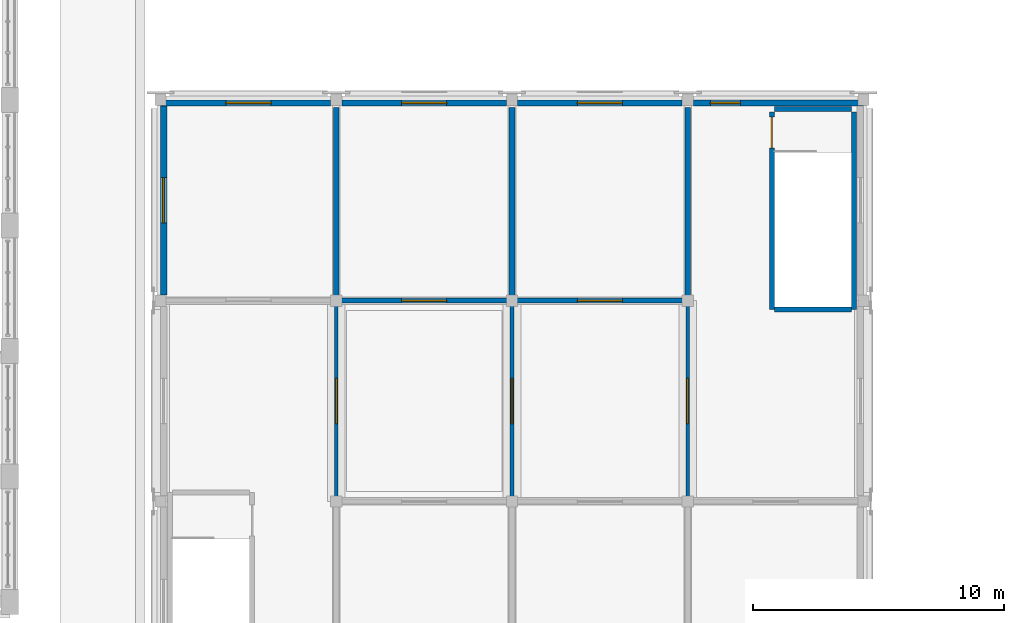
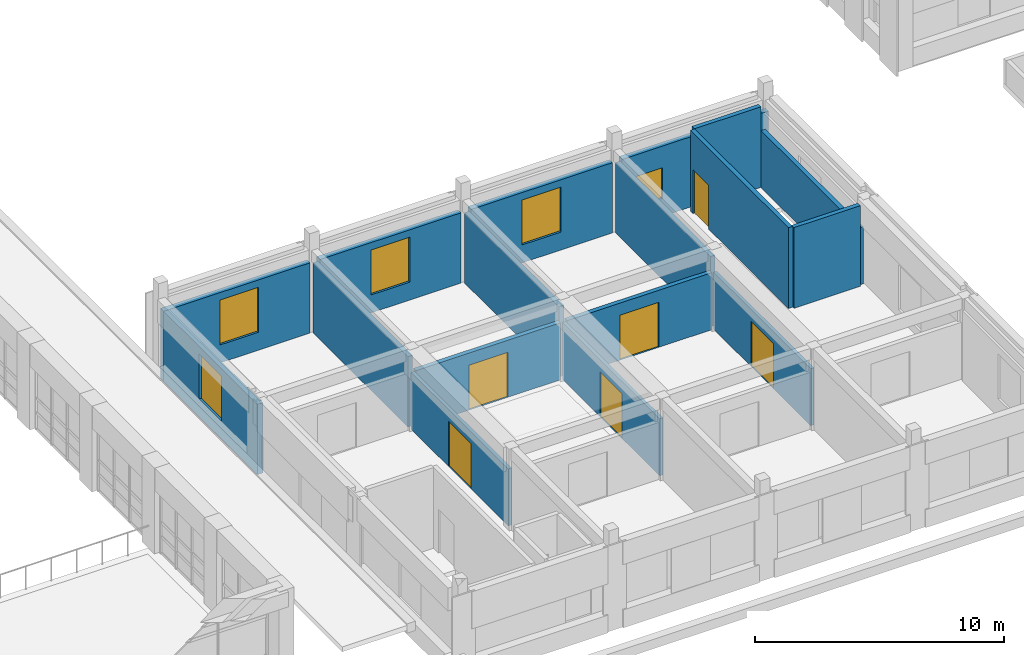
# One storey, part 64 of 97: 17 walls, 6 doors, 5 windows, 11 openings.
"""IFC4 building model written with IfcOpenShell, lengths in metres."""

from ifc_helpers import new_model, si_unit, direction, frame, frame_2d, origin, place, context, subcontext, project, spatial, rectangle, extrude, material, layer, layer_set, type_object, element, fill, save


model = new_model("IFC4")

# Units and contexts
model_context = context("Model", 3, precision=1e-05, world=origin(), true_north=direction((0.0, 1.0)))
body_context = subcontext(model_context, "Body", "Model", "MODEL_VIEW")
ifc_project = project(units=[si_unit("LENGTHUNIT", "METRE"), si_unit("AREAUNIT", "SQUARE_METRE"), si_unit("VOLUMEUNIT", "CUBIC_METRE"), si_unit("PLANEANGLEUNIT", "RADIAN"), si_unit("MASSUNIT", "GRAM", prefix="KILO")], contexts=[model_context])

# Site, building, storey
site_placement = place(None, origin())
site = spatial("IfcSite", under=ifc_project, at=site_placement, CompositionType="ELEMENT")
building_placement = place(site_placement, origin())
building = spatial("IfcBuilding", under=site, at=building_placement, Name="Kiranvali Square Residences", CompositionType="ELEMENT")
storey_placement = place(building_placement, frame((0.0, 0.0, 4.5)))
storey = spatial("IfcBuildingStorey", under=building, at=storey_placement, Name="L01", CompositionType="ELEMENT", Elevation=4.5)

# Wall, opening, door
ifc_material_1 = material(Name="Autoclaved aerated concrete blockwork masonry", Category="masonry")
ifc_layer_1 = layer(ifc_material_1, 0.199951171875)
ifc_layer_set_1 = layer_set([ifc_layer_1], Name="Autoclaved aerated concrete blockwork masonry")
wall_type_1 = type_object("IfcWallType", Name="WL-COR-200", PredefinedType="STANDARD", material=ifc_layer_set_1)
wall_1_placement = place(storey_placement, frame((109.14990234375, 56.0, 0.0), z_axis=(0.0, 0.0, 1.0), x_axis=(1.0, 0.0, 0.0)))
wall_1 = element("IfcWall", 1, at=wall_1_placement, inside=storey, type_object=wall_type_1, Name="L01 architectural wall WL-RT-L01-Y1-1", PredefinedType="STANDARD", context=body_context, shape_type="SweptSolid", body=[
    extrude(rectangle(XDim=6.7001953125, YDim=0.199951171875, at=frame_2d((3.35009765625, 0.0))), origin(), (0.0, 0.0, 1.0), 2.7919921875),
])
opening_1_placement = place(wall_1_placement, frame((2.449951171875, 0.0, 0.0)))
opening_1 = element("IfcOpeningElement", 2, at=opening_1_placement, cuts=wall_1, Name="Opening ED-GLZ-180", PredefinedType="OPENING", context=body_context, shape_type="SweptSolid", body=[
    extrude(rectangle(XDim=1.800048828125, YDim=2.199951171875, at=frame_2d((0.89990234375, 1.10009765625))), frame((0.0, 0.10986328125, 0.0), z_axis=(0.0, -1.0, 0.0), x_axis=(1.0, 0.0, 0.0)), (0.0, 0.0, 1.0), 0.219970703125),
])
ifc_material_2 = material(Name="Anodised bronze aluminium framing", Category="aluminium")
door_type_1 = type_object("IfcDoorType", Name="DR-GLZ-1800", OperationType="DOUBLE_DOOR_SINGLE_SWING", PredefinedType="DOOR", material=ifc_material_2)
door_1_placement = place(opening_1_placement, origin())
door_1 = element("IfcDoor", 3, at=door_1_placement, inside=storey, type_object=door_type_1, Name="L01 door DR-L01-2350 (DR-GLZ-1800)", OperationType="DOUBLE_DOOR_SINGLE_SWING", OverallHeight=2.199951171875, OverallWidth=1.800048828125, PredefinedType="DOOR", context=body_context, shape_type="SweptSolid", body=[
    extrude(rectangle(XDim=1.800048828125, YDim=2.199951171875, at=frame_2d((0.89990234375, 1.10009765625))), frame((0.0, 0.02490234375, 0.0), z_axis=(0.0, -1.0, 0.0), x_axis=(1.0, 0.0, 0.0)), (0.0, 0.0, 1.0), 0.050048828125),
])
fill(opening_1, door_1)

wall_2_placement = place(storey_placement, frame((116.14990234375, 56.0, 0.0), z_axis=(0.0, 0.0, 1.0), x_axis=(1.0, 0.0, 0.0)))
wall_2 = element("IfcWall", 4, at=wall_2_placement, inside=storey, type_object=wall_type_1, Name="L01 architectural wall WL-RT-L01-Y1-2", PredefinedType="STANDARD", context=body_context, shape_type="SweptSolid", body=[
    extrude(rectangle(XDim=6.7001953125, YDim=0.199951171875, at=frame_2d((3.35009765625, 0.0))), origin(), (0.0, 0.0, 1.0), 2.7919921875),
])
opening_2_placement = place(wall_2_placement, frame((2.449951171875, 0.0, 0.0)))
opening_2 = element("IfcOpeningElement", 5, at=opening_2_placement, cuts=wall_2, Name="Opening ED-GLZ-180", PredefinedType="OPENING", context=body_context, shape_type="SweptSolid", body=[
    extrude(rectangle(XDim=1.800048828125, YDim=2.199951171875, at=frame_2d((0.89990234375, 1.10009765625))), frame((0.0, 0.10986328125, 0.0), z_axis=(0.0, -1.0, 0.0), x_axis=(1.0, 0.0, 0.0)), (0.0, 0.0, 1.0), 0.219970703125),
])
door_2_placement = place(opening_2_placement, origin())
door_2 = element("IfcDoor", 6, at=door_2_placement, inside=storey, type_object=door_type_1, Name="L01 door DR-L01-2351 (DR-GLZ-1800)", OperationType="DOUBLE_DOOR_SINGLE_SWING", OverallHeight=2.199951171875, OverallWidth=1.800048828125, PredefinedType="DOOR", context=body_context, shape_type="SweptSolid", body=[
    extrude(rectangle(XDim=1.800048828125, YDim=2.199951171875, at=frame_2d((0.89990234375, 1.10009765625))), frame((0.0, 0.02490234375, 0.0), z_axis=(0.0, -1.0, 0.0), x_axis=(1.0, 0.0, 0.0)), (0.0, 0.0, 1.0), 0.050048828125),
])
fill(opening_2, door_2)

# Walls
ifc_layer_2 = layer(ifc_material_1, 0.219970703125)
ifc_layer_set_2 = layer_set([ifc_layer_2], Name="Autoclaved aerated concrete blockwork masonry")
wall_type_2 = type_object("IfcWallType", Name="WL-DEM-220", PredefinedType="STANDARD", material=ifc_layer_set_2)
for number, where, z_axis, x_axis, name in (
    (7, (109.0, 56.10009765625, 0.0), (0.0, 0.0, 1.0), (0.0, 1.0, 0.0), "L01 architectural wall WL-RT-L01-X1-N"),
    (8, (116.0, 56.10009765625, 0.0), (0.0, 0.0, 1.0), (0.0, 1.0, 0.0), "L01 architectural wall WL-RT-L01-X2-N"),
    (9, (123.0, 56.10009765625, 0.0), (0.0, 0.0, 1.0), (0.0, 1.0, 0.0), "L01 architectural wall WL-RT-L01-X3-N"),
):
    element("IfcWall", number, at=place(storey_placement, frame(where, z_axis=z_axis, x_axis=x_axis)), inside=storey, type_object=wall_type_2, Name=name, PredefinedType="STANDARD", context=body_context, shape_type="SweptSolid", body=[
        extrude(rectangle(XDim=7.599853515625, YDim=0.219970703125, at=frame_2d((3.7998046875, 0.0))), origin(), (0.0, 0.0, 1.0), 3.44189453125),
    ])

# Wall, opening, window
ifc_material_3 = material(Name="Breathable lime-rendered clay brick masonry", Category="masonry")
ifc_layer_3 = layer(ifc_material_3, 0.25)
ifc_layer_set_3 = layer_set([ifc_layer_3], Name="Breathable lime-rendered clay brick masonry")
wall_type_3 = type_object("IfcWallType", Name="WL-EXT-250", PredefinedType="STANDARD", material=ifc_layer_set_3)
wall_3_placement = place(storey_placement, frame((102.0, 63.875, 0.0), z_axis=(0.0, 0.0, 1.0), x_axis=(1.0, 0.0, 0.0)))
wall_3 = element("IfcWall", 10, at=wall_3_placement, inside=storey, type_object=wall_type_3, Name="L01 exterior wall RT-L01-N-0", PredefinedType="STANDARD", context=body_context, shape_type="SweptSolid", body=[
    extrude(rectangle(XDim=6.771484375, YDim=0.25, at=frame_2d((3.3857421875, 0.0))), origin(), (0.0, 0.0, 1.0), 3.44189453125),
])
opening_3_placement = place(wall_3_placement, frame((2.60009765625, 0.0, 0.8798828125)))
opening_3 = element("IfcOpeningElement", 11, at=opening_3_placement, cuts=wall_3, Name="Opening W-01", PredefinedType="OPENING", context=body_context, shape_type="SweptSolid", body=[
    extrude(rectangle(XDim=1.800048828125, YDim=2.199951171875, at=frame_2d((0.89990234375, 1.10009765625))), frame((0.0, 0.135009765625, 0.0), z_axis=(0.0, -1.0, 0.0), x_axis=(1.0, 0.0, 0.0)), (0.0, 0.0, 1.0), 0.27001953125),
])
ifc_material_4 = material(Name="Solar-control low-e double glazing", Category="glass")
window_type_1 = type_object("IfcWindowType", Name="WIN-ARCH-1800x2200", PartitioningType="DOUBLE_PANEL_VERTICAL", PredefinedType="WINDOW", material=ifc_material_4)
window_1_placement = place(opening_3_placement, origin())
window_1 = element("IfcWindow", 12, at=window_1_placement, inside=storey, type_object=window_type_1, Name="L01 recessed window RT-L01-N-0", OverallHeight=2.199951171875, OverallWidth=1.800048828125, PartitioningType="DOUBLE_PANEL_VERTICAL", PredefinedType="WINDOW", context=body_context, shape_type="SweptSolid", body=[
    extrude(rectangle(XDim=1.800048828125, YDim=2.199951171875, at=frame_2d((0.89990234375, 1.10009765625))), frame((0.0, 0.030029296875, 0.0), z_axis=(0.0, -1.0, 0.0), x_axis=(1.0, 0.0, 0.0)), (0.0, 0.0, 1.0), 0.06005859375),
])
fill(opening_3, window_1)

wall_4_placement = place(storey_placement, frame((109.228515625, 63.875, 0.0), z_axis=(0.0, 0.0, 1.0), x_axis=(1.0, 0.0, 0.0)))
wall_4 = element("IfcWall", 13, at=wall_4_placement, inside=storey, type_object=wall_type_3, Name="L01 exterior wall RT-L01-N-1", PredefinedType="STANDARD", context=body_context, shape_type="SweptSolid", body=[
    extrude(rectangle(XDim=6.54296875, YDim=0.25, at=frame_2d((3.271484375, 0.0))), origin(), (0.0, 0.0, 1.0), 3.44189453125),
])
opening_4_placement = place(wall_4_placement, frame((2.37158203125, 0.0, 0.8798828125)))
opening_4 = element("IfcOpeningElement", 14, at=opening_4_placement, cuts=wall_4, Name="Opening W-01", PredefinedType="OPENING", context=body_context, shape_type="SweptSolid", body=[
    extrude(rectangle(XDim=1.800048828125, YDim=2.199951171875, at=frame_2d((0.89990234375, 1.10009765625))), frame((0.0, 0.135009765625, 0.0), z_axis=(0.0, -1.0, 0.0), x_axis=(1.0, 0.0, 0.0)), (0.0, 0.0, 1.0), 0.27001953125),
])
window_2_placement = place(opening_4_placement, origin())
window_2 = element("IfcWindow", 15, at=window_2_placement, inside=storey, type_object=window_type_1, Name="L01 recessed window RT-L01-N-1", OverallHeight=2.199951171875, OverallWidth=1.800048828125, PartitioningType="DOUBLE_PANEL_VERTICAL", PredefinedType="WINDOW", context=body_context, shape_type="SweptSolid", body=[
    extrude(rectangle(XDim=1.800048828125, YDim=2.199951171875, at=frame_2d((0.89990234375, 1.10009765625))), frame((0.0, 0.030029296875, 0.0), z_axis=(0.0, -1.0, 0.0), x_axis=(1.0, 0.0, 0.0)), (0.0, 0.0, 1.0), 0.06005859375),
])
fill(opening_4, window_2)

wall_5_placement = place(storey_placement, frame((116.228515625, 63.875, 0.0), z_axis=(0.0, 0.0, 1.0), x_axis=(1.0, 0.0, 0.0)))
wall_5 = element("IfcWall", 16, at=wall_5_placement, inside=storey, type_object=wall_type_3, Name="L01 exterior wall RT-L01-N-2", PredefinedType="STANDARD", context=body_context, shape_type="SweptSolid", body=[
    extrude(rectangle(XDim=6.54296875, YDim=0.25, at=frame_2d((3.271484375, 0.0))), origin(), (0.0, 0.0, 1.0), 3.44189453125),
])
opening_5_placement = place(wall_5_placement, frame((2.37158203125, 0.0, 0.8798828125)))
opening_5 = element("IfcOpeningElement", 17, at=opening_5_placement, cuts=wall_5, Name="Opening W-01", PredefinedType="OPENING", context=body_context, shape_type="SweptSolid", body=[
    extrude(rectangle(XDim=1.800048828125, YDim=2.199951171875, at=frame_2d((0.89990234375, 1.10009765625))), frame((0.0, 0.135009765625, 0.0), z_axis=(0.0, -1.0, 0.0), x_axis=(1.0, 0.0, 0.0)), (0.0, 0.0, 1.0), 0.27001953125),
])
window_3_placement = place(opening_5_placement, origin())
window_3 = element("IfcWindow", 18, at=window_3_placement, inside=storey, type_object=window_type_1, Name="L01 recessed window RT-L01-N-2", OverallHeight=2.199951171875, OverallWidth=1.800048828125, PartitioningType="DOUBLE_PANEL_VERTICAL", PredefinedType="WINDOW", context=body_context, shape_type="SweptSolid", body=[
    extrude(rectangle(XDim=1.800048828125, YDim=2.199951171875, at=frame_2d((0.89990234375, 1.10009765625))), frame((0.0, 0.030029296875, 0.0), z_axis=(0.0, -1.0, 0.0), x_axis=(1.0, 0.0, 0.0)), (0.0, 0.0, 1.0), 0.06005859375),
])
fill(opening_5, window_3)

wall_6_placement = place(storey_placement, frame((123.228515625, 63.875, 0.0), z_axis=(0.0, 0.0, 1.0), x_axis=(1.0, 0.0, 0.0)))
wall_6 = element("IfcWall", 19, at=wall_6_placement, inside=storey, type_object=wall_type_3, Name="L01 exterior wall RT-L01-N-3", PredefinedType="STANDARD", context=body_context, shape_type="SweptSolid", body=[
    extrude(rectangle(XDim=6.771484375, YDim=0.25, at=frame_2d((3.3857421875, 0.0))), origin(), (0.0, 0.0, 1.0), 3.44189453125),
])
opening_6_placement = place(wall_6_placement, frame((0.67138671875, 0.0, 0.8798828125)))
opening_6 = element("IfcOpeningElement", 20, at=opening_6_placement, cuts=wall_6, Name="Opening W-06", PredefinedType="OPENING", context=body_context, shape_type="SweptSolid", body=[
    extrude(rectangle(XDim=1.199951171875, YDim=1.5, at=frame_2d((0.60009765625, 0.75))), frame((0.0, 0.135009765625, 0.0), z_axis=(0.0, -1.0, 0.0), x_axis=(1.0, 0.0, 0.0)), (0.0, 0.0, 1.0), 0.27001953125),
])
window_type_2 = type_object("IfcWindowType", Name="WIN-RES-1200x1500", PartitioningType="SINGLE_PANEL", PredefinedType="WINDOW", material=ifc_material_4)
window_4_placement = place(opening_6_placement, origin())
window_4 = element("IfcWindow", 21, at=window_4_placement, inside=storey, type_object=window_type_2, Name="L01 recessed window RT-L01-N-3", OverallHeight=1.5, OverallWidth=1.199951171875, PartitioningType="SINGLE_PANEL", PredefinedType="WINDOW", context=body_context, shape_type="SweptSolid", body=[
    extrude(rectangle(XDim=1.199951171875, YDim=1.5, at=frame_2d((0.60009765625, 0.75))), frame((0.0, 0.030029296875, 0.0), z_axis=(0.0, -1.0, 0.0), x_axis=(1.0, 0.0, 0.0)), (0.0, 0.0, 1.0), 0.06005859375),
])
fill(opening_6, window_4)

wall_7_placement = place(storey_placement, frame((102.125, 56.228515625, 0.0), z_axis=(0.0, 0.0, 1.0), x_axis=(0.0, 1.0, 0.0)))
wall_7 = element("IfcWall", 22, at=wall_7_placement, inside=storey, type_object=wall_type_3, Name="L01 exterior wall RT-L01-W-2", PredefinedType="STANDARD", context=body_context, shape_type="SweptSolid", body=[
    extrude(rectangle(XDim=7.5185546875, YDim=0.25, at=frame_2d((3.75927734375, 0.0))), origin(), (0.0, 0.0, 1.0), 3.44189453125),
])
opening_7_placement = place(wall_7_placement, frame((2.87158203125, 0.0, 0.8798828125)))
opening_7 = element("IfcOpeningElement", 23, at=opening_7_placement, cuts=wall_7, Name="Opening W-01", PredefinedType="OPENING", context=body_context, shape_type="SweptSolid", body=[
    extrude(rectangle(XDim=1.800048828125, YDim=2.199951171875, at=frame_2d((0.89990234375, 1.10009765625))), frame((0.0, 0.135009765625, 0.0), z_axis=(0.0, -1.0, 0.0), x_axis=(1.0, 0.0, 0.0)), (0.0, 0.0, 1.0), 0.27001953125),
])
window_5_placement = place(opening_7_placement, origin())
window_5 = element("IfcWindow", 24, at=window_5_placement, inside=storey, type_object=window_type_1, Name="L01 recessed window RT-L01-W-2", OverallHeight=2.199951171875, OverallWidth=1.800048828125, PartitioningType="DOUBLE_PANEL_VERTICAL", PredefinedType="WINDOW", context=body_context, shape_type="SweptSolid", body=[
    extrude(rectangle(XDim=1.800048828125, YDim=2.199951171875, at=frame_2d((0.89990234375, 1.10009765625))), frame((0.0, 0.030029296875, 0.0), z_axis=(0.0, -1.0, 0.0), x_axis=(1.0, 0.0, 0.0)), (0.0, 0.0, 1.0), 0.06005859375),
])
fill(opening_7, window_5)

# Wall, opening, door
ifc_material_5 = material(Name="Acoustic gypsum board drylined partition", Category="gypsum")
ifc_layer_4 = layer(ifc_material_5, 0.14990234375)
ifc_layer_set_4 = layer_set([ifc_layer_4], Name="Acoustic gypsum board drylined partition")
wall_type_4 = type_object("IfcWallType", Name="WL-PRT-150", PredefinedType="PARTITIONING", material=ifc_layer_set_4)
wall_8_placement = place(storey_placement, frame((109.0, 48.10009765625, 0.0), z_axis=(0.0, 0.0, 1.0), x_axis=(0.0, 1.0, 0.0)))
wall_8 = element("IfcWall", 25, at=wall_8_placement, inside=storey, type_object=wall_type_4, Name="L01 architectural wall WL-RT-L01-X1-M", PredefinedType="PARTITIONING", context=body_context, shape_type="SweptSolid", body=[
    extrude(rectangle(XDim=7.7998046875, YDim=0.14990234375, at=frame_2d((3.89990234375, 0.0))), origin(), (0.0, 0.0, 1.0), 2.7919921875),
])
opening_8_placement = place(wall_8_placement, frame((3.0, 0.0, 0.0)))
opening_8 = element("IfcOpeningElement", 26, at=opening_8_placement, cuts=wall_8, Name="Opening ED-GLZ-180", PredefinedType="OPENING", context=body_context, shape_type="SweptSolid", body=[
    extrude(rectangle(XDim=1.800048828125, YDim=2.199951171875, at=frame_2d((0.89990234375, 1.10009765625))), frame((0.0, 0.0849609375, 0.0), z_axis=(0.0, -1.0, 0.0), x_axis=(1.0, 0.0, 0.0)), (0.0, 0.0, 1.0), 0.169921875),
])
door_3_placement = place(opening_8_placement, origin())
door_3 = element("IfcDoor", 27, at=door_3_placement, inside=storey, type_object=door_type_1, Name="L01 door DR-L01-2352 (DR-GLZ-1800)", OperationType="DOUBLE_DOOR_SINGLE_SWING", OverallHeight=2.199951171875, OverallWidth=1.800048828125, PredefinedType="DOOR", context=body_context, shape_type="SweptSolid", body=[
    extrude(rectangle(XDim=1.800048828125, YDim=2.199951171875, at=frame_2d((0.89990234375, 1.10009765625))), frame((0.0, 0.02490234375, 0.0), z_axis=(0.0, -1.0, 0.0), x_axis=(1.0, 0.0, 0.0)), (0.0, 0.0, 1.0), 0.050048828125),
])
fill(opening_8, door_3)

wall_9_placement = place(storey_placement, frame((116.0, 48.10009765625, 0.0), z_axis=(0.0, 0.0, 1.0), x_axis=(0.0, 1.0, 0.0)))
wall_9 = element("IfcWall", 28, at=wall_9_placement, inside=storey, type_object=wall_type_4, Name="L01 architectural wall WL-RT-L01-X2-M", PredefinedType="PARTITIONING", context=body_context, shape_type="SweptSolid", body=[
    extrude(rectangle(XDim=7.7998046875, YDim=0.14990234375, at=frame_2d((3.89990234375, 0.0))), origin(), (0.0, 0.0, 1.0), 2.7919921875),
])
opening_9_placement = place(wall_9_placement, frame((3.0, 0.0, 0.0)))
opening_9 = element("IfcOpeningElement", 29, at=opening_9_placement, cuts=wall_9, Name="Opening ED-GLZ-180", PredefinedType="OPENING", context=body_context, shape_type="SweptSolid", body=[
    extrude(rectangle(XDim=1.800048828125, YDim=2.199951171875, at=frame_2d((0.89990234375, 1.10009765625))), frame((0.0, 0.0849609375, 0.0), z_axis=(0.0, -1.0, 0.0), x_axis=(1.0, 0.0, 0.0)), (0.0, 0.0, 1.0), 0.169921875),
])
door_4_placement = place(opening_9_placement, origin())
door_4 = element("IfcDoor", 30, at=door_4_placement, inside=storey, type_object=door_type_1, Name="L01 door DR-L01-2353 (DR-GLZ-1800)", OperationType="DOUBLE_DOOR_SINGLE_SWING", OverallHeight=2.199951171875, OverallWidth=1.800048828125, PredefinedType="DOOR", context=body_context, shape_type="SweptSolid", body=[
    extrude(rectangle(XDim=1.800048828125, YDim=2.199951171875, at=frame_2d((0.89990234375, 1.10009765625))), frame((0.0, 0.02490234375, 0.0), z_axis=(0.0, -1.0, 0.0), x_axis=(1.0, 0.0, 0.0)), (0.0, 0.0, 1.0), 0.050048828125),
])
fill(opening_9, door_4)

wall_10_placement = place(storey_placement, frame((123.0, 48.10009765625, 0.0), z_axis=(0.0, 0.0, 1.0), x_axis=(0.0, 1.0, 0.0)))
wall_10 = element("IfcWall", 31, at=wall_10_placement, inside=storey, type_object=wall_type_4, Name="L01 architectural wall WL-RT-L01-X3-M", PredefinedType="PARTITIONING", context=body_context, shape_type="SweptSolid", body=[
    extrude(rectangle(XDim=7.7998046875, YDim=0.14990234375, at=frame_2d((3.89990234375, 0.0))), origin(), (0.0, 0.0, 1.0), 2.7919921875),
])
opening_10_placement = place(wall_10_placement, frame((3.0, 0.0, 0.0)))
opening_10 = element("IfcOpeningElement", 32, at=opening_10_placement, cuts=wall_10, Name="Opening ED-GLZ-180", PredefinedType="OPENING", context=body_context, shape_type="SweptSolid", body=[
    extrude(rectangle(XDim=1.800048828125, YDim=2.199951171875, at=frame_2d((0.89990234375, 1.10009765625))), frame((0.0, 0.0849609375, 0.0), z_axis=(0.0, -1.0, 0.0), x_axis=(1.0, 0.0, 0.0)), (0.0, 0.0, 1.0), 0.169921875),
])
door_5_placement = place(opening_10_placement, origin())
door_5 = element("IfcDoor", 33, at=door_5_placement, inside=storey, type_object=door_type_1, Name="L01 door DR-L01-2354 (DR-GLZ-1800)", OperationType="DOUBLE_DOOR_SINGLE_SWING", OverallHeight=2.199951171875, OverallWidth=1.800048828125, PredefinedType="DOOR", context=body_context, shape_type="SweptSolid", body=[
    extrude(rectangle(XDim=1.800048828125, YDim=2.199951171875, at=frame_2d((0.89990234375, 1.10009765625))), frame((0.0, 0.02490234375, 0.0), z_axis=(0.0, -1.0, 0.0), x_axis=(1.0, 0.0, 0.0)), (0.0, 0.0, 1.0), 0.050048828125),
])
fill(opening_10, door_5)

# Walls
ifc_layer_5 = layer(ifc_material_1, 0.199951171875)
ifc_layer_set_5 = layer_set([ifc_layer_5], Name="Autoclaved aerated concrete blockwork masonry")
wall_type_5 = type_object("IfcWallType", Name="WL-SHF-200", PredefinedType="STANDARD", material=ifc_layer_set_5)
wall_11_placement = place(storey_placement, frame((129.6201171875, 55.64990234375, 0.0), z_axis=(0.0, 0.0, 1.0), x_axis=(0.0, 1.0, 0.0)))
element("IfcWall", 34, at=wall_11_placement, inside=storey, type_object=wall_type_5, Name="L01 architectural wall WL-RT-L01-S2E", PredefinedType="STANDARD", context=body_context, shape_type="SweptSolid", body=[
    extrude(rectangle(XDim=7.8701171875, YDim=0.199951171875, at=frame_2d((3.93505859375, 0.0))), origin(), (0.0, 0.0, 1.0), 2.7919921875),
])
for number, where, z_axis, x_axis, name in (
    (35, (126.449951171875, 63.6298828125, 0.0), (0.0, 0.0, 1.0), (1.0, 0.0, 0.0), "L01 architectural wall WL-RT-L01-S2N"),
    (36, (126.449951171875, 55.64990234375, 0.0), (0.0, 0.0, 1.0), (1.0, 0.0, 0.0), "L01 architectural wall WL-RT-L01-S2S"),
):
    element("IfcWall", number, at=place(storey_placement, frame(where, z_axis=z_axis, x_axis=x_axis)), inside=storey, type_object=wall_type_5, Name=name, PredefinedType="STANDARD", context=body_context, shape_type="SweptSolid", body=[
        extrude(rectangle(XDim=3.070068359375, YDim=0.199951171875, at=frame_2d((1.53515625, 0.0))), origin(), (0.0, 0.0, 1.0), 3.949951171875),
    ])

# Wall, opening, door
wall_12_placement = place(storey_placement, frame((126.35009765625, 55.64990234375, 0.0), z_axis=(0.0, 0.0, 1.0), x_axis=(0.0, 1.0, 0.0)))
wall_12 = element("IfcWall", 37, at=wall_12_placement, inside=storey, type_object=wall_type_5, Name="L01 architectural wall WL-RT-L01-S2W", PredefinedType="STANDARD", context=body_context, shape_type="SweptSolid", body=[
    extrude(rectangle(XDim=7.8701171875, YDim=0.199951171875, at=frame_2d((3.93505859375, 0.0))), origin(), (0.0, 0.0, 1.0), 3.949951171875),
])
opening_11_placement = place(wall_12_placement, frame((6.423583984375, 0.0, 0.0)))
opening_11 = element("IfcOpeningElement", 38, at=opening_11_placement, cuts=wall_12, Name="Opening FD-ST-120", PredefinedType="OPENING", context=body_context, shape_type="SweptSolid", body=[
    extrude(rectangle(XDim=1.239990234375, YDim=2.14990234375, at=frame_2d((0.6201171875, 1.074951171875))), frame((0.0, 0.10986328125, 0.0), z_axis=(0.0, -1.0, 0.0), x_axis=(1.0, 0.0, 0.0)), (0.0, 0.0, 1.0), 0.219970703125),
])
ifc_material_6 = material(Name="Fire-rated acoustic hardwood and mineral-core door assembly", Category="wood")
door_type_2 = type_object("IfcDoorType", Name="DR-FD120-1200", OperationType="NOTDEFINED", PredefinedType="DOOR", material=ifc_material_6)
door_6_placement = place(opening_11_placement, frame((1.239990234375, 0.0, 0.0), z_axis=(0.0, 0.0, 1.0), x_axis=(-1.0, 0.0, 0.0)))
door_6 = element("IfcDoor", 39, at=door_6_placement, inside=storey, type_object=door_type_2, Name="L01 door DR-L01-2344 (DR-FD120-1200)", OperationType="SINGLE_SWING_RIGHT", OverallHeight=2.14990234375, OverallWidth=1.239990234375, PredefinedType="DOOR", context=body_context, shape_type="SweptSolid", body=[
    extrude(rectangle(XDim=1.239990234375, YDim=2.14990234375, at=frame_2d((0.6201171875, 1.074951171875))), frame((0.0, 0.02490234375, 0.0), z_axis=(0.0, -1.0, 0.0), x_axis=(1.0, 0.0, 0.0)), (0.0, 0.0, 1.0), 0.050048828125),
])
fill(opening_11, door_6)

save(model, "model.ifc")
